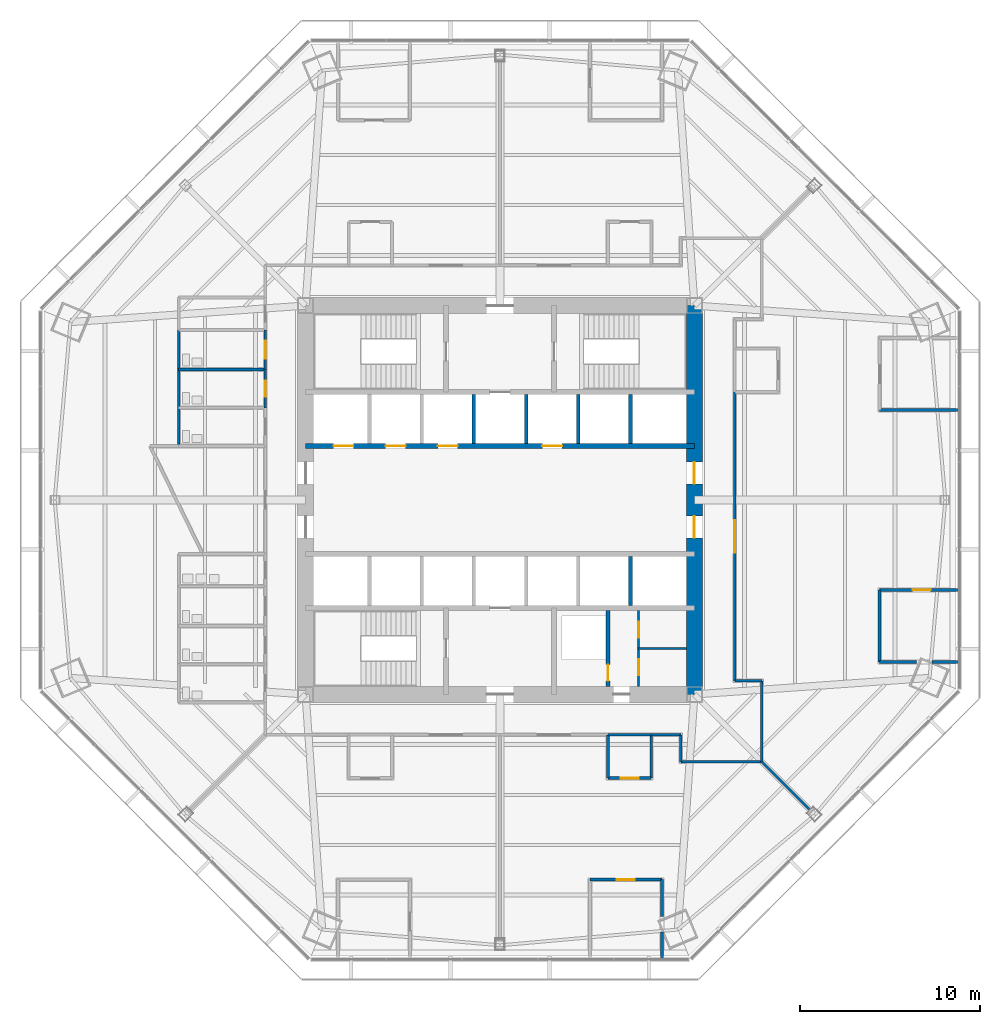
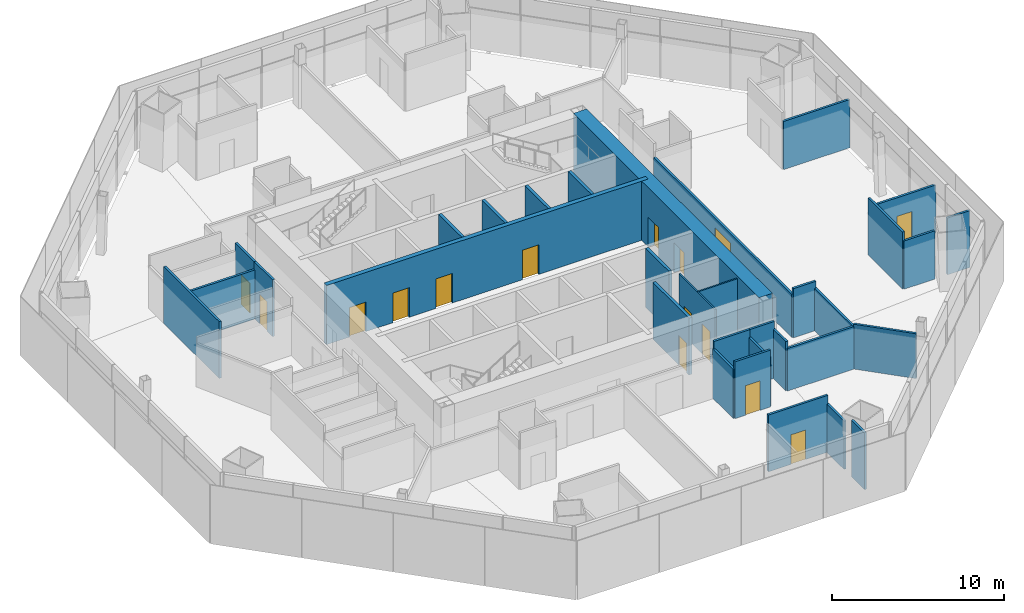
# One storey, part 11 of 17: 33 walls, 15 doors, 15 openings.
"""IFC4 building model written with IfcOpenShell, lengths in metres."""

from ifc_helpers import new_model, si_unit, direction, frame, frame_2d, origin, place, context, subcontext, project, spatial, rectangle, extrude, material, layer, layer_set, type_object, element, fill, save


model = new_model("IFC4")

# Units and contexts
model_context = context("Model", 3, precision=1e-05, world=origin(), true_north=direction((0.0, 1.0)))
body_context = subcontext(model_context, "Body", "Model", "MODEL_VIEW")
ifc_project = project(units=[si_unit("LENGTHUNIT", "METRE"), si_unit("AREAUNIT", "SQUARE_METRE"), si_unit("VOLUMEUNIT", "CUBIC_METRE"), si_unit("PLANEANGLEUNIT", "RADIAN"), si_unit("MASSUNIT", "GRAM", prefix="KILO")], contexts=[model_context])

# Site, building, storey
site_placement = place(None, origin())
site = spatial("IfcSite", under=ifc_project, at=site_placement, CompositionType="ELEMENT")
building_placement = place(site_placement, origin())
building = spatial("IfcBuilding", under=site, at=building_placement, Name="Mashrafa Tower", CompositionType="ELEMENT")
storey_placement = place(building_placement, frame((0.0, 0.0, 87.60009765625)))
storey = spatial("IfcBuildingStorey", under=building, at=storey_placement, Name="L19", CompositionType="ELEMENT", Elevation=87.60009765625)

# Wall, opening, door
ifc_material_1 = material(Name="Concrete masonry unit", Category="masonry")
ifc_layer_1 = layer(ifc_material_1, 0.199951171875)
ifc_layer_set_1 = layer_set([ifc_layer_1], Name="Blockwork wall 200 2 hr")
wall_type_1 = type_object("IfcWallType", Name="Blockwork wall 200 2 hr", PredefinedType="PARTITIONING", material=ifc_layer_set_1)
wall_1_placement = place(storey_placement, frame((6.0, -10.35009765625, 0.0), z_axis=(0.0, 0.0, 1.0), x_axis=(0.0, 1.0, 0.0)))
wall_1 = element("IfcWall", 1, at=wall_1_placement, inside=storey, type_object=wall_type_1, Name="Riser enclosure wall L19", PredefinedType="PARTITIONING", context=body_context, shape_type="SweptSolid", body=[
    extrude(rectangle(XDim=4.2001953125, YDim=0.199951171875, at=frame_2d((2.10009765625, 0.0))), origin(), (0.0, 0.0, 1.0), 4.034912109375),
])
opening_1_placement = place(wall_1_placement, frame((0.300048828125, 0.0, 0.0)))
opening_1 = element("IfcOpeningElement", 2, at=opening_1_placement, cuts=wall_1, Name="Opening 19.036", PredefinedType="OPENING", context=body_context, shape_type="SweptSolid", body=[
    extrude(rectangle(XDim=0.89990234375, YDim=2.10009765625, at=frame_2d((0.449951171875, 1.050048828125))), frame((0.0, 0.10986328125, 0.0), z_axis=(0.0, -1.0, 0.0), x_axis=(1.0, 0.0, 0.0)), (0.0, 0.0, 1.0), 0.219970703125),
])
ifc_material_2 = material(Name="Steel door", Category="steel")
door_type_1 = type_object("IfcDoorType", Name="Service door 900 x 2100 90 min", OperationType="USERDEFINED", PredefinedType="DOOR", material=ifc_material_2)
door_1_placement = place(opening_1_placement, origin())
door_1 = element("IfcDoor", 3, at=door_1_placement, inside=storey, type_object=door_type_1, Name="Riser door L19", OperationType="SINGLE_SWING_LEFT", OverallHeight=2.10009765625, OverallWidth=0.89990234375, PredefinedType="DOOR", context=body_context, shape_type="SweptSolid", body=[
    extrude(rectangle(XDim=0.89990234375, YDim=2.10009765625, at=frame_2d((0.449951171875, 1.050048828125))), frame((0.0, 0.02490234375, 0.0), z_axis=(0.0, -1.0, 0.0), x_axis=(1.0, 0.0, 0.0)), (0.0, 0.0, 1.0), 0.050048828125),
])
fill(opening_1, door_1)

# Wall, openings, doors
ifc_material_3 = material(Name="Concrete C60/75", Category="concrete")
ifc_layer_2 = layer(ifc_material_3, 0.300048828125)
ifc_layer_set_2 = layer_set([ifc_layer_2], Name="Core wall 300 C60/75")
wall_type_2 = type_object("IfcWallType", Name="Core wall 300 C60/75", PredefinedType="SOLIDWALL", material=ifc_layer_set_2)
wall_2_placement = place(storey_placement, frame((-10.800048828125, 3.0, 0.0), z_axis=(0.0, 0.0, 1.0), x_axis=(1.0, 0.0, 0.0)))
wall_2 = element("IfcWall", 4, at=wall_2_placement, inside=storey, type_object=wall_type_2, Name="Core wall CH-N L19", PredefinedType="SOLIDWALL", context=body_context, shape_type="SweptSolid", body=[
    extrude(rectangle(XDim=21.60009765625, YDim=0.300048828125, at=frame_2d((10.800048828125, 0.0))), origin(), (0.0, 0.0, 1.0), 4.199951171875),
])
opening_2_placement = place(wall_2_placement, frame((1.550048828125, 0.0, 0.0)))
opening_2 = element("IfcOpeningElement", 5, at=opening_2_placement, cuts=wall_2, Name="Opening 19.A1", PredefinedType="OPENING", context=body_context, shape_type="SweptSolid", body=[
    extrude(rectangle(XDim=1.10009765625, YDim=2.10009765625, at=frame_2d((0.550048828125, 1.050048828125))), frame((0.0, 0.159912109375, 0.0), z_axis=(0.0, -1.0, 0.0), x_axis=(1.0, 0.0, 0.0)), (0.0, 0.0, 1.0), 0.320068359375),
])
opening_3_placement = place(wall_2_placement, frame((4.449951171875, 0.0, 0.0)))
opening_3 = element("IfcOpeningElement", 6, at=opening_3_placement, cuts=wall_2, Name="Opening 19.A2", PredefinedType="OPENING", context=body_context, shape_type="SweptSolid", body=[
    extrude(rectangle(XDim=1.10009765625, YDim=2.10009765625, at=frame_2d((0.550048828125, 1.050048828125))), frame((0.0, 0.159912109375, 0.0), z_axis=(0.0, -1.0, 0.0), x_axis=(1.0, 0.0, 0.0)), (0.0, 0.0, 1.0), 0.320068359375),
])
opening_4_placement = place(wall_2_placement, frame((7.35009765625, 0.0, 0.0)))
opening_4 = element("IfcOpeningElement", 7, at=opening_4_placement, cuts=wall_2, Name="Opening 19.A3", PredefinedType="OPENING", context=body_context, shape_type="SweptSolid", body=[
    extrude(rectangle(XDim=1.10009765625, YDim=2.10009765625, at=frame_2d((0.550048828125, 1.050048828125))), frame((0.0, 0.159912109375, 0.0), z_axis=(0.0, -1.0, 0.0), x_axis=(1.0, 0.0, 0.0)), (0.0, 0.0, 1.0), 0.320068359375),
])
opening_5_placement = place(wall_2_placement, frame((13.14990234375, 0.0, 0.0)))
opening_5 = element("IfcOpeningElement", 8, at=opening_5_placement, cuts=wall_2, Name="Opening 19.A4", PredefinedType="OPENING", context=body_context, shape_type="SweptSolid", body=[
    extrude(rectangle(XDim=1.10009765625, YDim=2.10009765625, at=frame_2d((0.550048828125, 1.050048828125))), frame((0.0, 0.159912109375, 0.0), z_axis=(0.0, -1.0, 0.0), x_axis=(1.0, 0.0, 0.0)), (0.0, 0.0, 1.0), 0.320068359375),
])
ifc_material_4 = material(Name="Steel door", Category="steel")
door_type_2 = type_object("IfcDoorType", Name="Lift landing door 1100 x 2100 90 min", OperationType="DOUBLE_DOOR_SLIDING", PredefinedType="DOOR", material=ifc_material_4)
door_2_placement = place(opening_2_placement, origin())
door_2 = element("IfcDoor", 9, at=door_2_placement, inside=storey, type_object=door_type_2, Name="Lift landing door A1 L19", OperationType="DOUBLE_DOOR_SLIDING", OverallHeight=2.10009765625, OverallWidth=1.10009765625, PredefinedType="DOOR", context=body_context, shape_type="SweptSolid", body=[
    extrude(rectangle(XDim=1.10009765625, YDim=2.10009765625, at=frame_2d((0.550048828125, 1.050048828125))), frame((0.0, 0.02490234375, 0.0), z_axis=(0.0, -1.0, 0.0), x_axis=(1.0, 0.0, 0.0)), (0.0, 0.0, 1.0), 0.050048828125),
])
fill(opening_2, door_2)
door_3_placement = place(opening_3_placement, origin())
door_3 = element("IfcDoor", 10, at=door_3_placement, inside=storey, type_object=door_type_2, Name="Lift landing door A2 L19", OperationType="DOUBLE_DOOR_SLIDING", OverallHeight=2.10009765625, OverallWidth=1.10009765625, PredefinedType="DOOR", context=body_context, shape_type="SweptSolid", body=[
    extrude(rectangle(XDim=1.10009765625, YDim=2.10009765625, at=frame_2d((0.550048828125, 1.050048828125))), frame((0.0, 0.02490234375, 0.0), z_axis=(0.0, -1.0, 0.0), x_axis=(1.0, 0.0, 0.0)), (0.0, 0.0, 1.0), 0.050048828125),
])
fill(opening_3, door_3)
door_4_placement = place(opening_4_placement, origin())
door_4 = element("IfcDoor", 11, at=door_4_placement, inside=storey, type_object=door_type_2, Name="Lift landing door A3 L19", OperationType="DOUBLE_DOOR_SLIDING", OverallHeight=2.10009765625, OverallWidth=1.10009765625, PredefinedType="DOOR", context=body_context, shape_type="SweptSolid", body=[
    extrude(rectangle(XDim=1.10009765625, YDim=2.10009765625, at=frame_2d((0.550048828125, 1.050048828125))), frame((0.0, 0.02490234375, 0.0), z_axis=(0.0, -1.0, 0.0), x_axis=(1.0, 0.0, 0.0)), (0.0, 0.0, 1.0), 0.050048828125),
])
fill(opening_4, door_4)
door_5_placement = place(opening_5_placement, origin())
door_5 = element("IfcDoor", 12, at=door_5_placement, inside=storey, type_object=door_type_2, Name="Lift landing door A4 L19", OperationType="DOUBLE_DOOR_SLIDING", OverallHeight=2.10009765625, OverallWidth=1.10009765625, PredefinedType="DOOR", context=body_context, shape_type="SweptSolid", body=[
    extrude(rectangle(XDim=1.10009765625, YDim=2.10009765625, at=frame_2d((0.550048828125, 1.050048828125))), frame((0.0, 0.02490234375, 0.0), z_axis=(0.0, -1.0, 0.0), x_axis=(1.0, 0.0, 0.0)), (0.0, 0.0, 1.0), 0.050048828125),
])
fill(opening_5, door_5)

ifc_material_5 = material(Name="Concrete C60/75", Category="concrete")
ifc_layer_3 = layer(ifc_material_5, 0.89990234375)
ifc_layer_set_3 = layer_set([ifc_layer_3], Name="Core wall 900 C60/75")
wall_type_3 = type_object("IfcWallType", Name="Core wall 900 C60/75", PredefinedType="SOLIDWALL", material=ifc_layer_set_3)
wall_3_placement = place(storey_placement, frame((10.800048828125, -10.800048828125, 0.0), z_axis=(0.0, 0.0, 1.0), x_axis=(0.0, 1.0, 0.0)))
wall_3 = element("IfcWall", 13, at=wall_3_placement, inside=storey, type_object=wall_type_3, Name="Core wall CW-E L19", PredefinedType="SOLIDWALL", context=body_context, shape_type="SweptSolid", body=[
    extrude(rectangle(XDim=21.60009765625, YDim=0.89990234375, at=frame_2d((10.800048828125, 0.0))), origin(), (0.0, 0.0, 1.0), 4.199951171875),
])
opening_6_placement = place(wall_3_placement, frame((11.699951171875, 0.0, 0.0)))
opening_6 = element("IfcOpeningElement", 14, at=opening_6_placement, cuts=wall_3, Name="Opening 19.026", PredefinedType="OPENING", context=body_context, shape_type="SweptSolid", body=[
    extrude(rectangle(XDim=1.199951171875, YDim=2.10009765625, at=frame_2d((0.60009765625, 1.050048828125))), frame((0.0, 0.4599609375, 0.0), z_axis=(0.0, -1.0, 0.0), x_axis=(1.0, 0.0, 0.0)), (0.0, 0.0, 1.0), 0.919921875),
])
opening_7_placement = place(wall_3_placement, frame((8.699951171875, 0.0, 0.0)))
opening_7 = element("IfcOpeningElement", 15, at=opening_7_placement, cuts=wall_3, Name="Opening 19.028", PredefinedType="OPENING", context=body_context, shape_type="SweptSolid", body=[
    extrude(rectangle(XDim=1.199951171875, YDim=2.10009765625, at=frame_2d((0.60009765625, 1.050048828125))), frame((0.0, 0.4599609375, 0.0), z_axis=(0.0, -1.0, 0.0), x_axis=(1.0, 0.0, 0.0)), (0.0, 0.0, 1.0), 0.919921875),
])
ifc_material_6 = material(Name="Steel door", Category="steel")
door_type_3 = type_object("IfcDoorType", Name="Lift hall door 1200 x 2100 90 min", OperationType="USERDEFINED", PredefinedType="DOOR", material=ifc_material_6)
door_6_placement = place(opening_6_placement, frame((1.199951171875, 0.0, 0.0), z_axis=(0.0, 0.0, 1.0), x_axis=(-1.0, 0.0, 0.0)))
door_6 = element("IfcDoor", 16, at=door_6_placement, inside=storey, type_object=door_type_3, Name="Lift hall door east L19", OperationType="SINGLE_SWING_LEFT", OverallHeight=2.10009765625, OverallWidth=1.199951171875, PredefinedType="DOOR", context=body_context, shape_type="SweptSolid", body=[
    extrude(rectangle(XDim=1.199951171875, YDim=2.10009765625, at=frame_2d((0.60009765625, 1.050048828125))), frame((0.0, 0.02490234375, 0.0), z_axis=(0.0, -1.0, 0.0), x_axis=(1.0, 0.0, 0.0)), (0.0, 0.0, 1.0), 0.050048828125),
])
fill(opening_6, door_6)
door_7_placement = place(opening_7_placement, frame((1.199951171875, 0.0, 0.0), z_axis=(0.0, 0.0, 1.0), x_axis=(-1.0, 0.0, 0.0)))
door_7 = element("IfcDoor", 17, at=door_7_placement, inside=storey, type_object=door_type_3, Name="Lift hall door east L19", OperationType="SINGLE_SWING_RIGHT", OverallHeight=2.10009765625, OverallWidth=1.199951171875, PredefinedType="DOOR", context=body_context, shape_type="SweptSolid", body=[
    extrude(rectangle(XDim=1.199951171875, YDim=2.10009765625, at=frame_2d((0.60009765625, 1.050048828125))), frame((0.0, 0.02490234375, 0.0), z_axis=(0.0, -1.0, 0.0), x_axis=(1.0, 0.0, 0.0)), (0.0, 0.0, 1.0), 0.050048828125),
])
fill(opening_7, door_7)

# Wall, opening, door
ifc_material_7 = material(Name="Gypsum board on steel studs", Category="steel")
ifc_layer_4 = layer(ifc_material_7, 0.14990234375)
ifc_layer_set_4 = layer_set([ifc_layer_4], Name="Corridor partition 150 1 hr")
wall_type_4 = type_object("IfcWallType", Name="Corridor partition 150 1 hr", PredefinedType="PARTITIONING", material=ifc_layer_set_4)
wall_4_placement = place(storey_placement, frame((-13.050048828125, 7.2509765625, 0.0), z_axis=(0.0, 0.0, 1.0), x_axis=(0.0, -1.0, 0.0)))
wall_4 = element("IfcWall", 18, at=wall_4_placement, inside=storey, type_object=wall_type_4, Name="Corridor wall L19-002", PredefinedType="PARTITIONING", context=body_context, shape_type="SweptSolid", body=[
    extrude(rectangle(XDim=2.126953125, YDim=0.14990234375, at=frame_2d((1.0634765625, 0.0))), origin(), (0.0, 0.0, 1.0), 4.034912109375),
])
opening_8_placement = place(wall_4_placement, frame((0.613525390625, 0.0, 0.0)))
opening_8 = element("IfcOpeningElement", 19, at=opening_8_placement, cuts=wall_4, Name="Opening 19.002", PredefinedType="OPENING", context=body_context, shape_type="SweptSolid", body=[
    extrude(rectangle(XDim=0.89990234375, YDim=2.10009765625, at=frame_2d((0.449951171875, 1.050048828125))), frame((0.0, 0.0849609375, 0.0), z_axis=(0.0, -1.0, 0.0), x_axis=(1.0, 0.0, 0.0)), (0.0, 0.0, 1.0), 0.169921875),
])
ifc_material_8 = material(Name="Timber door", Category="wood")
door_type_4 = type_object("IfcDoorType", Name="Toilet door 900 x 2100", OperationType="USERDEFINED", PredefinedType="DOOR", material=ifc_material_8)
door_8_placement = place(opening_8_placement, frame((0.89990234375, 0.0, 0.0), z_axis=(0.0, 0.0, 1.0), x_axis=(-1.0, 0.0, 0.0)))
door_8 = element("IfcDoor", 20, at=door_8_placement, inside=storey, type_object=door_type_4, Name="WC Male L19 N door", OperationType="SINGLE_SWING_LEFT", OverallHeight=2.10009765625, OverallWidth=0.89990234375, PredefinedType="DOOR", context=body_context, shape_type="SweptSolid", body=[
    extrude(rectangle(XDim=0.89990234375, YDim=2.10009765625, at=frame_2d((0.449951171875, 1.050048828125))), frame((0.0, 0.02490234375, 0.0), z_axis=(0.0, -1.0, 0.0), x_axis=(1.0, 0.0, 0.0)), (0.0, 0.0, 1.0), 0.050048828125),
])
fill(opening_8, door_8)

wall_5_placement = place(storey_placement, frame((-13.050048828125, 9.450927734375, 0.0), z_axis=(0.0, 0.0, 1.0), x_axis=(0.0, -1.0, 0.0)))
wall_5 = element("IfcWall", 21, at=wall_5_placement, inside=storey, type_object=wall_type_4, Name="Corridor wall L19-003", PredefinedType="PARTITIONING", context=body_context, shape_type="SweptSolid", body=[
    extrude(rectangle(XDim=2.201904296875, YDim=0.14990234375, at=frame_2d((1.10107421875, 0.0))), origin(), (0.0, 0.0, 1.0), 4.034912109375),
])
opening_9_placement = place(wall_5_placement, frame((0.60107421875, 0.0, 0.0)))
opening_9 = element("IfcOpeningElement", 22, at=opening_9_placement, cuts=wall_5, Name="Opening 19.003", PredefinedType="OPENING", context=body_context, shape_type="SweptSolid", body=[
    extrude(rectangle(XDim=1.0, YDim=2.10009765625, at=frame_2d((0.5, 1.050048828125))), frame((0.0, 0.0849609375, 0.0), z_axis=(0.0, -1.0, 0.0), x_axis=(1.0, 0.0, 0.0)), (0.0, 0.0, 1.0), 0.169921875),
])
ifc_material_9 = material(Name="Timber door", Category="wood")
door_type_5 = type_object("IfcDoorType", Name="Accessible toilet door 1000 x 2100", OperationType="USERDEFINED", PredefinedType="DOOR", material=ifc_material_9)
door_9_placement = place(opening_9_placement, frame((1.0, 0.0, 0.0), z_axis=(0.0, 0.0, 1.0), x_axis=(-1.0, 0.0, 0.0)))
door_9 = element("IfcDoor", 23, at=door_9_placement, inside=storey, type_object=door_type_5, Name="Accessible WC L19 N door", OperationType="SINGLE_SWING_RIGHT", OverallHeight=2.10009765625, OverallWidth=1.0, PredefinedType="DOOR", context=body_context, shape_type="SweptSolid", body=[
    extrude(rectangle(XDim=1.0, YDim=2.10009765625, at=frame_2d((0.5, 1.050048828125))), frame((0.0, 0.02490234375, 0.0), z_axis=(0.0, -1.0, 0.0), x_axis=(1.0, 0.0, 0.0)), (0.0, 0.0, 1.0), 0.050048828125),
])
fill(opening_9, door_9)

# Walls
wall_6_placement = place(storey_placement, frame((5.9990234375, -13.050048828125, 0.0), z_axis=(0.0, 0.0, 1.0), x_axis=(1.0, 0.0, 0.0)))
element("IfcWall", 24, at=wall_6_placement, inside=storey, type_object=wall_type_4, Name="Corridor wall L19-013", PredefinedType="PARTITIONING", context=body_context, shape_type="SweptSolid", body=[
    extrude(rectangle(XDim=2.40185546875, YDim=0.14990234375, at=frame_2d((1.200927734375, 0.0))), origin(), (0.0, 0.0, 1.0), 4.034912109375),
])
wall_7_placement = place(storey_placement, frame((14.550048828125, -14.550048828125, 0.0), z_axis=(0.0, 0.0, 1.0), x_axis=(0.0, 1.0, 0.0)))
element("IfcWall", 25, at=wall_7_placement, inside=storey, type_object=wall_type_4, Name="Corridor wall L19-023", PredefinedType="PARTITIONING", context=body_context, shape_type="SweptSolid", body=[
    extrude(rectangle(XDim=4.5, YDim=0.14990234375, at=frame_2d((2.25, 0.0))), origin(), (0.0, 0.0, 1.0), 3.013916015625),
])
wall_8_placement = place(storey_placement, frame((14.550048828125, -10.050048828125, 0.0), z_axis=(0.0, 0.0, 1.0), x_axis=(-1.0, 0.0, 0.0)))
element("IfcWall", 26, at=wall_8_placement, inside=storey, type_object=wall_type_4, Name="Corridor wall L19-024", PredefinedType="PARTITIONING", context=body_context, shape_type="SweptSolid", body=[
    extrude(rectangle(XDim=1.5, YDim=0.14990234375, at=frame_2d((0.75, 0.0))), origin(), (0.0, 0.0, 1.0), 3.491455078125),
])

# Wall, opening, door
wall_9_placement = place(storey_placement, frame((13.050048828125, -10.050048828125, 0.0), z_axis=(0.0, 0.0, 1.0), x_axis=(0.0, 1.0, 0.0)))
wall_9 = element("IfcWall", 27, at=wall_9_placement, inside=storey, type_object=wall_type_4, Name="Corridor wall L19-025", PredefinedType="PARTITIONING", context=body_context, shape_type="SweptSolid", body=[
    extrude(rectangle(XDim=16.051025390625, YDim=0.14990234375, at=frame_2d((8.025390625, 0.0))), origin(), (0.0, 0.0, 1.0), 3.064697265625),
])
opening_10_placement = place(wall_9_placement, frame((7.12548828125, 0.0, 0.0)))
opening_10 = element("IfcOpeningElement", 28, at=opening_10_placement, cuts=wall_9, Name="Opening 19.023", PredefinedType="OPENING", context=body_context, shape_type="SweptSolid", body=[
    extrude(rectangle(XDim=1.800048828125, YDim=2.39990234375, at=frame_2d((0.89990234375, 1.199951171875))), frame((0.0, 0.0849609375, 0.0), z_axis=(0.0, -1.0, 0.0), x_axis=(1.0, 0.0, 0.0)), (0.0, 0.0, 1.0), 0.169921875),
])
ifc_material_10 = material(Name="Timber door", Category="wood")
door_type_6 = type_object("IfcDoorType", Name="Door pair 1800 x 2400", OperationType="DOUBLE_DOOR_SINGLE_SWING", PredefinedType="DOOR", material=ifc_material_10)
door_10_placement = place(opening_10_placement, frame((1.800048828125, 0.0, 0.0), z_axis=(0.0, 0.0, 1.0), x_axis=(-1.0, 0.0, 0.0)))
door_10 = element("IfcDoor", 29, at=door_10_placement, inside=storey, type_object=door_type_6, Name="Office Suite 19-E door", OperationType="DOUBLE_DOOR_SINGLE_SWING", OverallHeight=2.39990234375, OverallWidth=1.800048828125, PredefinedType="DOOR", context=body_context, shape_type="SweptSolid", body=[
    extrude(rectangle(XDim=1.800048828125, YDim=2.39990234375, at=frame_2d((0.89990234375, 1.199951171875))), frame((0.0, 0.02490234375, 0.0), z_axis=(0.0, -1.0, 0.0), x_axis=(1.0, 0.0, 0.0)), (0.0, 0.0, 1.0), 0.050048828125),
])
fill(opening_10, door_10)

# Walls
wall_10_placement = place(storey_placement, frame((8.39892578125, -13.050048828125, 0.0), z_axis=(0.0, 0.0, 1.0), x_axis=(1.0, 0.0, 0.0)))
element("IfcWall", 30, at=wall_10_placement, inside=storey, type_object=wall_type_4, Name="Corridor wall L19-030", PredefinedType="PARTITIONING", context=body_context, shape_type="SweptSolid", body=[
    extrude(rectangle(XDim=1.651123046875, YDim=0.14990234375, at=frame_2d((0.82568359375, 0.0))), origin(), (0.0, 0.0, 1.0), 4.034912109375),
])
wall_11_placement = place(storey_placement, frame((10.050048828125, -13.050048828125, 0.0), z_axis=(0.0, 0.0, 1.0), x_axis=(0.0, -1.0, 0.0)))
element("IfcWall", 31, at=wall_11_placement, inside=storey, type_object=wall_type_4, Name="Corridor wall L19-031", PredefinedType="PARTITIONING", context=body_context, shape_type="SweptSolid", body=[
    extrude(rectangle(XDim=1.5, YDim=0.14990234375, at=frame_2d((0.75, 0.0))), origin(), (0.0, 0.0, 1.0), 3.491455078125),
])
wall_12_placement = place(storey_placement, frame((10.050048828125, -14.550048828125, 0.0), z_axis=(0.0, 0.0, 1.0), x_axis=(1.0, 0.0, 0.0)))
element("IfcWall", 32, at=wall_12_placement, inside=storey, type_object=wall_type_4, Name="Corridor wall L19-032", PredefinedType="PARTITIONING", context=body_context, shape_type="SweptSolid", body=[
    extrude(rectangle(XDim=4.5, YDim=0.14990234375, at=frame_2d((2.25, 0.0))), origin(), (0.0, 0.0, 1.0), 3.013916015625),
])

# Wall, openings, doors
ifc_material_11 = material(Name="Gypsum board on steel studs", Category="steel")
ifc_layer_5 = layer(ifc_material_11, 0.10009765625)
ifc_layer_set_5 = layer_set([ifc_layer_5], Name="Partition 100 1 hr")
wall_type_5 = type_object("IfcWallType", Name="Partition 100 1 hr", PredefinedType="PARTITIONING", material=ifc_layer_set_5)
wall_13_placement = place(storey_placement, frame((7.699951171875, -10.35009765625, 0.0), z_axis=(0.0, 0.0, 1.0), x_axis=(0.0, 1.0, 0.0)))
wall_13 = element("IfcWall", 33, at=wall_13_placement, inside=storey, type_object=wall_type_5, Name="Services lobby partition A L19", PredefinedType="PARTITIONING", context=body_context, shape_type="SweptSolid", body=[
    extrude(rectangle(XDim=4.2001953125, YDim=0.10009765625, at=frame_2d((2.10009765625, 0.0))), origin(), (0.0, 0.0, 1.0), 4.034912109375),
])
opening_11_placement = place(wall_13_placement, frame((2.699951171875, 0.0, 0.0)))
opening_11 = element("IfcOpeningElement", 34, at=opening_11_placement, cuts=wall_13, Name="Opening 19.037", PredefinedType="OPENING", context=body_context, shape_type="SweptSolid", body=[
    extrude(rectangle(XDim=0.89990234375, YDim=2.10009765625, at=frame_2d((0.449951171875, 1.050048828125))), frame((0.0, 0.06005859375, 0.0), z_axis=(0.0, -1.0, 0.0), x_axis=(1.0, 0.0, 0.0)), (0.0, 0.0, 1.0), 0.1201171875),
])
opening_12_placement = place(wall_13_placement, frame((0.60009765625, 0.0, 0.0)))
opening_12 = element("IfcOpeningElement", 35, at=opening_12_placement, cuts=wall_13, Name="Opening 19.038", PredefinedType="OPENING", context=body_context, shape_type="SweptSolid", body=[
    extrude(rectangle(XDim=0.89990234375, YDim=2.10009765625, at=frame_2d((0.449951171875, 1.050048828125))), frame((0.0, 0.06005859375, 0.0), z_axis=(0.0, -1.0, 0.0), x_axis=(1.0, 0.0, 0.0)), (0.0, 0.0, 1.0), 0.1201171875),
])
ifc_material_12 = material(Name="Timber door", Category="wood")
door_type_7 = type_object("IfcDoorType", Name="Store door 900 x 2100", OperationType="USERDEFINED", PredefinedType="DOOR", material=ifc_material_12)
door_11_placement = place(opening_11_placement, frame((0.89990234375, 0.0, 0.0), z_axis=(0.0, 0.0, 1.0), x_axis=(-1.0, 0.0, 0.0)))
door_11 = element("IfcDoor", 36, at=door_11_placement, inside=storey, type_object=door_type_7, Name="Tenant Store L19 door", OperationType="SINGLE_SWING_RIGHT", OverallHeight=2.10009765625, OverallWidth=0.89990234375, PredefinedType="DOOR", context=body_context, shape_type="SweptSolid", body=[
    extrude(rectangle(XDim=0.89990234375, YDim=2.10009765625, at=frame_2d((0.449951171875, 1.050048828125))), frame((0.0, 0.02490234375, 0.0), z_axis=(0.0, -1.0, 0.0), x_axis=(1.0, 0.0, 0.0)), (0.0, 0.0, 1.0), 0.050048828125),
])
fill(opening_11, door_11)
door_12_placement = place(opening_12_placement, frame((0.89990234375, 0.0, 0.0), z_axis=(0.0, 0.0, 1.0), x_axis=(-1.0, 0.0, 0.0)))
door_12 = element("IfcDoor", 37, at=door_12_placement, inside=storey, type_object=door_type_7, Name="Cleaner's Store L19 door", OperationType="SINGLE_SWING_LEFT", OverallHeight=2.10009765625, OverallWidth=0.89990234375, PredefinedType="DOOR", context=body_context, shape_type="SweptSolid", body=[
    extrude(rectangle(XDim=0.89990234375, YDim=2.10009765625, at=frame_2d((0.449951171875, 1.050048828125))), frame((0.0, 0.02490234375, 0.0), z_axis=(0.0, -1.0, 0.0), x_axis=(1.0, 0.0, 0.0)), (0.0, 0.0, 1.0), 0.050048828125),
])
fill(opening_12, door_12)

# Walls
wall_14_placement = place(storey_placement, frame((7.699951171875, -8.25, 0.0), z_axis=(0.0, 0.0, 1.0), x_axis=(1.0, 0.0, 0.0)))
element("IfcWall", 38, at=wall_14_placement, inside=storey, type_object=wall_type_5, Name="Services lobby partition B L19", PredefinedType="PARTITIONING", context=body_context, shape_type="SweptSolid", body=[
    extrude(rectangle(XDim=2.650146484375, YDim=0.10009765625, at=frame_2d((1.3251953125, 0.0))), origin(), (0.0, 0.0, 1.0), 4.034912109375),
])
ifc_material_13 = material(Name="Gypsum board on steel studs", Category="steel")
ifc_layer_6 = layer(ifc_material_13, 0.14990234375)
ifc_layer_set_6 = layer_set([ifc_layer_6], Name="Partition 150")
wall_type_6 = type_object("IfcWallType", Name="Partition 150", PredefinedType="PARTITIONING", material=ifc_layer_set_6)
wall_15_placement = place(storey_placement, frame((-17.85009765625, 3.0, 0.0), z_axis=(0.0, 0.0, 1.0), x_axis=(0.0, 1.0, 0.0)))
element("IfcWall", 39, at=wall_15_placement, inside=storey, type_object=wall_type_6, Name="Partition wall L19-037", PredefinedType="PARTITIONING", context=body_context, shape_type="SweptSolid", body=[
    extrude(rectangle(XDim=6.449951171875, YDim=0.14990234375, at=frame_2d((3.22509765625, 0.0))), origin(), (0.0, 0.0, 1.0), 4.034912109375),
])
wall_16_placement = place(storey_placement, frame((-13.050048828125, 7.25, 0.0), z_axis=(0.0, 0.0, 1.0), x_axis=(-1.0, 0.0, 0.0)))
element("IfcWall", 40, at=wall_16_placement, inside=storey, type_object=wall_type_6, Name="Partition wall L19-038", PredefinedType="PARTITIONING", context=body_context, shape_type="SweptSolid", body=[
    extrude(rectangle(XDim=4.800048828125, YDim=0.14990234375, at=frame_2d((2.39990234375, 0.0))), origin(), (0.0, 0.0, 1.0), 3.491455078125),
])

# Wall, opening, door
wall_17_placement = place(storey_placement, frame((25.5205078125, -5.0, 0.0), z_axis=(0.0, 0.0, 1.0), x_axis=(-1.0, 0.0, 0.0)))
wall_17 = element("IfcWall", 41, at=wall_17_placement, inside=storey, type_object=wall_type_6, Name="Partition wall L19-070", PredefinedType="PARTITIONING", context=body_context, shape_type="SweptSolid", body=[
    extrude(rectangle(XDim=4.433837890625, YDim=0.14990234375, at=frame_2d((2.216796875, 0.0))), origin(), (0.0, 0.0, 1.0), 3.4228515625),
])
opening_13_placement = place(wall_17_placement, frame((1.59912109375, 0.0, 0.0)))
opening_13 = element("IfcOpeningElement", 42, at=opening_13_placement, cuts=wall_17, Name="Opening 19.014", PredefinedType="OPENING", context=body_context, shape_type="SweptSolid", body=[
    extrude(rectangle(XDim=1.0, YDim=2.10009765625, at=frame_2d((0.5, 1.050048828125))), frame((0.0, 0.0849609375, 0.0), z_axis=(0.0, -1.0, 0.0), x_axis=(1.0, 0.0, 0.0)), (0.0, 0.0, 1.0), 0.169921875),
])
ifc_material_14 = material(Name="Timber door", Category="wood")
door_type_8 = type_object("IfcDoorType", Name="Door 1000 x 2100", OperationType="USERDEFINED", PredefinedType="DOOR", material=ifc_material_14)
door_13_placement = place(opening_13_placement, origin())
door_13 = element("IfcDoor", 43, at=door_13_placement, inside=storey, type_object=door_type_8, Name="Manager's Office 19-E door", OperationType="SINGLE_SWING_LEFT", OverallHeight=2.10009765625, OverallWidth=1.0, PredefinedType="DOOR", context=body_context, shape_type="SweptSolid", body=[
    extrude(rectangle(XDim=1.0, YDim=2.10009765625, at=frame_2d((0.5, 1.050048828125))), frame((0.0, 0.02490234375, 0.0), z_axis=(0.0, -1.0, 0.0), x_axis=(1.0, 0.0, 0.0)), (0.0, 0.0, 1.0), 0.050048828125),
])
fill(opening_13, door_13)

# Walls
wall_18_placement = place(storey_placement, frame((21.086669921875, -5.0, 0.0), z_axis=(0.0, 0.0, 1.0), x_axis=(0.0, -1.0, 0.0)))
element("IfcWall", 44, at=wall_18_placement, inside=storey, type_object=wall_type_6, Name="Partition wall L19-071", PredefinedType="PARTITIONING", context=body_context, shape_type="SweptSolid", body=[
    extrude(rectangle(XDim=4.0, YDim=0.14990234375, at=frame_2d((2.0, 0.0))), origin(), (0.0, 0.0, 1.0), 4.034912109375),
])
wall_19_placement = place(storey_placement, frame((21.086669921875, -9.0, 0.0), z_axis=(0.0, 0.0, 1.0), x_axis=(1.0, 0.0, 0.0)))
element("IfcWall", 45, at=wall_19_placement, inside=storey, type_object=wall_type_6, Name="Partition wall L19-072", PredefinedType="PARTITIONING", context=body_context, shape_type="SweptSolid", body=[
    extrude(rectangle(XDim=2.05712890625, YDim=0.14990234375, at=frame_2d((1.028564453125, 0.0))), origin(), (0.0, 0.0, 1.0), 3.4228515625),
])
for number, where, z_axis, x_axis, name in (
    (46, (23.998779296875, -9.0, 0.0), (0.0, 0.0, 1.0), (1.0, 0.0, 0.0), "Partition wall L19-073"),
    (47, (9.0, -25.5185546875, 0.0), (0.0, 0.0, 1.0), (0.0, 1.0, 0.0), "Partition wall L19-077"),
):
    element("IfcWall", number, at=place(storey_placement, frame(where, z_axis=z_axis, x_axis=x_axis)), inside=storey, type_object=wall_type_6, Name=name, PredefinedType="PARTITIONING", context=body_context, shape_type="SweptSolid", body=[
        extrude(rectangle(XDim=1.519775390625, YDim=0.14990234375, at=frame_2d((0.759765625, 0.0))), origin(), (0.0, 0.0, 1.0), 4.034912109375),
    ])
wall_20_placement = place(storey_placement, frame((9.0, -23.143798828125, 0.0), z_axis=(0.0, 0.0, 1.0), x_axis=(0.0, 1.0, 0.0)))
element("IfcWall", 48, at=wall_20_placement, inside=storey, type_object=wall_type_6, Name="Partition wall L19-078", PredefinedType="PARTITIONING", context=body_context, shape_type="SweptSolid", body=[
    extrude(rectangle(XDim=2.05712890625, YDim=0.14990234375, at=frame_2d((1.028564453125, 0.0))), origin(), (0.0, 0.0, 1.0), 3.4228515625),
])

# Wall, opening, door
wall_21_placement = place(storey_placement, frame((9.0, -21.086669921875, 0.0), z_axis=(0.0, 0.0, 1.0), x_axis=(-1.0, 0.0, 0.0)))
wall_21 = element("IfcWall", 49, at=wall_21_placement, inside=storey, type_object=wall_type_6, Name="Partition wall L19-079", PredefinedType="PARTITIONING", context=body_context, shape_type="SweptSolid", body=[
    extrude(rectangle(XDim=4.0, YDim=0.14990234375, at=frame_2d((2.0, 0.0))), origin(), (0.0, 0.0, 1.0), 4.034912109375),
])
opening_14_placement = place(wall_21_placement, frame((1.5, 0.0, 0.0)))
opening_14 = element("IfcOpeningElement", 50, at=opening_14_placement, cuts=wall_21, Name="Opening 19.016", PredefinedType="OPENING", context=body_context, shape_type="SweptSolid", body=[
    extrude(rectangle(XDim=1.0, YDim=2.10009765625, at=frame_2d((0.5, 1.050048828125))), frame((0.0, 0.0849609375, 0.0), z_axis=(0.0, -1.0, 0.0), x_axis=(1.0, 0.0, 0.0)), (0.0, 0.0, 1.0), 0.169921875),
])
door_14_placement = place(opening_14_placement, origin())
door_14 = element("IfcDoor", 51, at=door_14_placement, inside=storey, type_object=door_type_8, Name="Manager's Office 19-SE door", OperationType="SINGLE_SWING_LEFT", OverallHeight=2.10009765625, OverallWidth=1.0, PredefinedType="DOOR", context=body_context, shape_type="SweptSolid", body=[
    extrude(rectangle(XDim=1.0, YDim=2.10009765625, at=frame_2d((0.5, 1.050048828125))), frame((0.0, 0.02490234375, 0.0), z_axis=(0.0, -1.0, 0.0), x_axis=(1.0, 0.0, 0.0)), (0.0, 0.0, 1.0), 0.050048828125),
])
fill(opening_14, door_14)

# Wall
wall_22_placement = place(storey_placement, frame((6.0, -13.050048828125, 0.0), z_axis=(0.0, 0.0, 1.0), x_axis=(0.0, -1.0, 0.0)))
element("IfcWall", 52, at=wall_22_placement, inside=storey, type_object=wall_type_6, Name="Partition wall L19-081", PredefinedType="PARTITIONING", context=body_context, shape_type="SweptSolid", body=[
    extrude(rectangle(XDim=2.39990234375, YDim=0.14990234375, at=frame_2d((1.199951171875, 0.0))), origin(), (0.0, 0.0, 1.0), 3.491455078125),
])

# Wall, opening, door
wall_23_placement = place(storey_placement, frame((6.0, -15.449951171875, 0.0), z_axis=(0.0, 0.0, 1.0), x_axis=(1.0, 0.0, 0.0)))
wall_23 = element("IfcWall", 53, at=wall_23_placement, inside=storey, type_object=wall_type_6, Name="Partition wall L19-082", PredefinedType="PARTITIONING", context=body_context, shape_type="SweptSolid", body=[
    extrude(rectangle(XDim=2.39990234375, YDim=0.14990234375, at=frame_2d((1.199951171875, 0.0))), origin(), (0.0, 0.0, 1.0), 4.034912109375),
])
opening_15_placement = place(wall_23_placement, frame((0.699951171875, 0.0, 0.0)))
opening_15 = element("IfcOpeningElement", 54, at=opening_15_placement, cuts=wall_23, Name="Opening 19.017", PredefinedType="OPENING", context=body_context, shape_type="SweptSolid", body=[
    extrude(rectangle(XDim=1.0, YDim=2.10009765625, at=frame_2d((0.5, 1.050048828125))), frame((0.0, 0.0849609375, 0.0), z_axis=(0.0, -1.0, 0.0), x_axis=(1.0, 0.0, 0.0)), (0.0, 0.0, 1.0), 0.169921875),
])
door_15_placement = place(opening_15_placement, origin())
door_15 = element("IfcDoor", 55, at=door_15_placement, inside=storey, type_object=door_type_8, Name="Kitchenette 19-SE door", OperationType="SINGLE_SWING_LEFT", OverallHeight=2.10009765625, OverallWidth=1.0, PredefinedType="DOOR", context=body_context, shape_type="SweptSolid", body=[
    extrude(rectangle(XDim=1.0, YDim=2.10009765625, at=frame_2d((0.5, 1.050048828125))), frame((0.0, 0.02490234375, 0.0), z_axis=(0.0, -1.0, 0.0), x_axis=(1.0, 0.0, 0.0)), (0.0, 0.0, 1.0), 0.050048828125),
])
fill(opening_15, door_15)

# Walls
wall_24_placement = place(storey_placement, frame((8.39990234375, -15.449951171875, 0.0), z_axis=(0.0, 0.0, 1.0), x_axis=(0.0, 1.0, 0.0)))
element("IfcWall", 56, at=wall_24_placement, inside=storey, type_object=wall_type_6, Name="Partition wall L19-083", PredefinedType="PARTITIONING", context=body_context, shape_type="SweptSolid", body=[
    extrude(rectangle(XDim=2.39990234375, YDim=0.14990234375, at=frame_2d((1.199951171875, 0.0))), origin(), (0.0, 0.0, 1.0), 3.491455078125),
])
wall_25_placement = place(storey_placement, frame((21.086669921875, 5.0, 0.0), z_axis=(0.0, 0.0, 1.0), x_axis=(1.0, 0.0, 0.0)))
element("IfcWall", 57, at=wall_25_placement, inside=storey, type_object=wall_type_6, Name="Partition wall L19-094", PredefinedType="PARTITIONING", context=body_context, shape_type="SweptSolid", body=[
    extrude(rectangle(XDim=4.431884765625, YDim=0.14990234375, at=frame_2d((2.2158203125, 0.0))), origin(), (0.0, 0.0, 1.0), 3.4228515625),
])
wall_26_placement = place(storey_placement, frame((14.550048828125, -14.550048828125, 0.0), z_axis=(0.0, 0.0, 1.0), x_axis=(0.707106781187, -0.707106781187, 0.0)))
element("IfcWall", 58, at=wall_26_placement, inside=storey, type_object=wall_type_6, Name="Partition wall L19-098", PredefinedType="PARTITIONING", context=body_context, shape_type="SweptSolid", body=[
    extrude(rectangle(XDim=3.771728515625, YDim=0.14990234375, at=frame_2d((1.8857421875, 0.0))), origin(), (0.0, 0.0, 1.0), 3.17919921875),
])
ifc_material_15 = material(Name="Gypsum shaft wall on steel studs", Category="steel")
ifc_layer_7 = layer(ifc_material_15, 0.199951171875)
ifc_layer_set_7 = layer_set([ifc_layer_7], Name="Shaft divider wall 200 2 hr")
wall_type_7 = type_object("IfcWallType", Name="Shaft divider wall 200 2 hr", PredefinedType="PARTITIONING", material=ifc_layer_set_7)
for number, where, z_axis, x_axis, name in (
    (59, (-1.449951171875, 3.14990234375, 0.0), (0.0, 0.0, 1.0), (0.0, 1.0, 0.0), "Shaft divider wall N3 L19"),
    (60, (1.449951171875, 3.14990234375, 0.0), (0.0, 0.0, 1.0), (0.0, 1.0, 0.0), "Shaft divider wall N4 L19"),
    (61, (4.35009765625, 3.14990234375, 0.0), (0.0, 0.0, 1.0), (0.0, 1.0, 0.0), "Shaft divider wall N5 L19"),
    (62, (7.25, 3.14990234375, 0.0), (0.0, 0.0, 1.0), (0.0, 1.0, 0.0), "Shaft divider wall N6 L19"),
    (63, (7.25, -5.85009765625, 0.0), (0.0, 0.0, 1.0), (0.0, 1.0, 0.0), "Shaft divider wall S6 L19"),
):
    element("IfcWall", number, at=place(storey_placement, frame(where, z_axis=z_axis, x_axis=x_axis)), inside=storey, type_object=wall_type_7, Name=name, PredefinedType="PARTITIONING", context=body_context, shape_type="SweptSolid", body=[
        extrude(rectangle(XDim=2.7001953125, YDim=0.199951171875, at=frame_2d((1.35009765625, 0.0))), origin(), (0.0, 0.0, 1.0), 4.199951171875),
    ])

save(model, "model.ifc")
